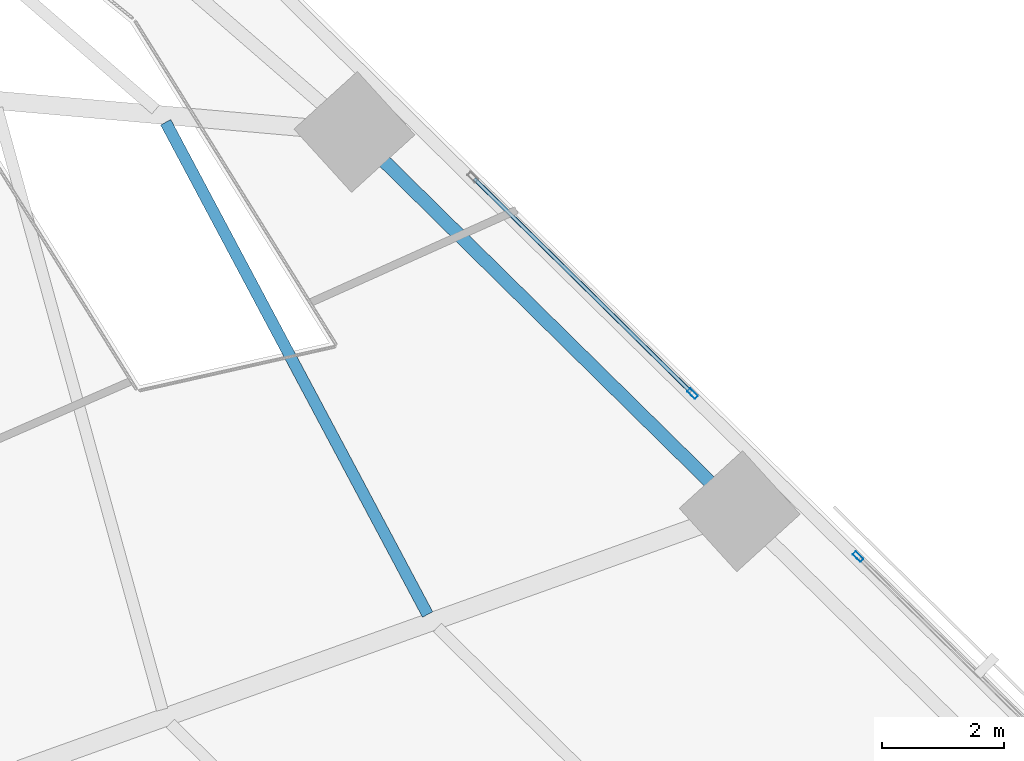
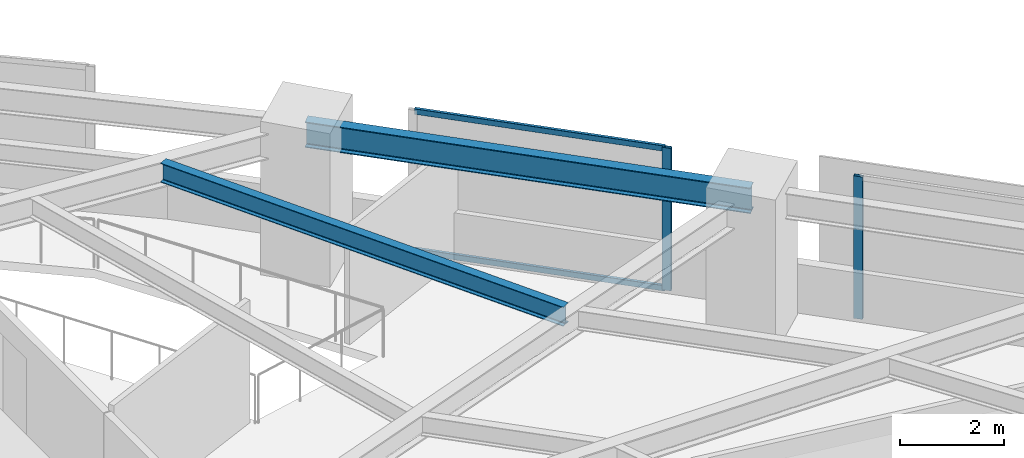
# One storey, part 6 of 17: 4 members, 2 beams, 2 elements without a shape of their own.
"""IFC4 building model written with IfcOpenShell, lengths in metres."""

from ifc_helpers import new_model, si_unit, direction, frame, origin, origin_2d, place, context, subcontext, project, spatial, hollow_rectangle, i_section, extrude, material, material_profile, profile_set, type_object, element, aggregate, save


model = new_model("IFC4")

# Units and contexts
model_context = context("Model", 3, precision=1e-05, world=origin(), true_north=direction((0.0, 1.0)))
body_context = subcontext(model_context, "Body", "Model", "MODEL_VIEW")
ifc_project = project(units=[si_unit("LENGTHUNIT", "METRE"), si_unit("AREAUNIT", "SQUARE_METRE"), si_unit("VOLUMEUNIT", "CUBIC_METRE"), si_unit("PLANEANGLEUNIT", "RADIAN"), si_unit("MASSUNIT", "GRAM", prefix="KILO")], contexts=[model_context])

# Site, building, storey
site_placement = place(None, origin())
site = spatial("IfcSite", under=ifc_project, at=site_placement, CompositionType="ELEMENT")
building_placement = place(site_placement, origin())
building = spatial("IfcBuilding", under=site, at=building_placement, Name="Narakoshi Arena Tower", CompositionType="ELEMENT")
storey_placement = place(building_placement, frame((0.0, 0.0, 33.89990234375)))
storey = spatial("IfcBuildingStorey", under=building, at=storey_placement, Name="L08", CompositionType="ELEMENT", Elevation=33.89990234375)

# Beams
ifc_material_1 = material(Name="Structural steel S355J2", Category="steel")
ifc_material_profile_1 = material_profile(ifc_material_1, i_section(OverallWidth=0.219970703125, OverallDepth=0.60009765625, WebThickness=0.011962890625, FlangeThickness=0.01904296875, FilletRadius=0.02392578125, at=origin_2d()), Name="IPE600")
ifc_profile_set_1 = profile_set([ifc_material_profile_1], Name="Structural steel S355J2")
beam_type_1 = type_object("IfcBeamType", Name="BM-EDGE-600", PredefinedType="BEAM", material=ifc_profile_set_1)
beam_1_placement = place(storey_placement, frame((102.345458984375, 49.373779296875, 3.0400390625), z_axis=(-0.712540689328, 0.70163079041, 0.0), x_axis=(-0.70163079041, -0.712540689328, 0.0)))
element("IfcBeam", 1, at=beam_1_placement, inside=storey, type_object=beam_type_1, Name="L08 Perimeter Edge Girder 07", PredefinedType="BEAM", context=body_context, shape_type="SweptSolid", body=[
    extrude(i_section(OverallWidth=0.219970703125, OverallDepth=0.60009765625, WebThickness=0.011962890625, FlangeThickness=0.01904296875, FilletRadius=0.02392578125, at=origin_2d()), origin(), (0.0, 0.0, 1.0), 8.83935546875),
])
ifc_material_profile_2 = material_profile(ifc_material_1, i_section(OverallWidth=0.18994140625, OverallDepth=0.449951171875, WebThickness=0.009521484375, FlangeThickness=0.0146484375, FilletRadius=0.02099609375, at=origin_2d()), Name="IPE450")
ifc_profile_set_2 = profile_set([ifc_material_profile_2], Name="Structural steel S355J2")
beam_type_2 = type_object("IfcBeamType", Name="BM-SEC-450", PredefinedType="JOIST", material=ifc_profile_set_2)
beam_2_placement = place(storey_placement, frame((97.243408203125, 47.685791015625, 3.114990234375), z_axis=(-0.469726223078, 0.882812140465, 0.0), x_axis=(-0.882812140465, -0.469726223078, 0.0)))
element("IfcBeam", 2, at=beam_2_placement, inside=storey, type_object=beam_type_2, Name="L08 Composite Secondary Floor Joist 08", PredefinedType="JOIST", context=body_context, shape_type="SweptSolid", body=[
    extrude(i_section(OverallWidth=0.18994140625, OverallDepth=0.449951171875, WebThickness=0.009521484375, FlangeThickness=0.0146484375, FilletRadius=0.02099609375, at=origin_2d()), origin(), (0.0, 0.0, 1.0), 9.116455078125),
])

# Curtain wall, member
ifc_material_2 = material(Name="Anodised bronze aluminium 6063-T6", Category="aluminium")
curtain_wall_type = type_object("IfcCurtainWallType", Name="CW-HYP-LOW", PredefinedType="NOTDEFINED", material=ifc_material_2)
curtain_wall_1_placement = place(storey_placement, origin())
curtain_wall_1 = element("IfcCurtainWall", 3, at=curtain_wall_1_placement, inside=storey, type_object=curtain_wall_type, Name="L08 Folded Hypotenuse Curtain Wall 1-3", PredefinedType="NOTDEFINED")
ifc_material_profile_3 = material_profile(ifc_material_2, hollow_rectangle(XDim=0.074951171875, YDim=0.179931640625, WallThickness=0.00390625, OuterFilletRadius=0.0048828125, at=origin_2d()), Name="MUL180x75x4")
ifc_profile_set_3 = profile_set([ifc_material_profile_3], Name="Anodised bronze aluminium 6063-T6")
member_type_1 = type_object("IfcMemberType", Name="MEM-MUL-180", PredefinedType="MULLION", material=ifc_profile_set_3)
member_1_placement = place(storey_placement, frame((104.280517578125, 48.63330078125, 0.0), z_axis=(0.0, 0.0, 1.0), x_axis=(-0.701632802488, -0.712538708053, 0.0)))
member_1 = element("IfcMember", 4, at=member_1_placement, type_object=member_type_1, Name="CW-01 mullion 2", PredefinedType="MULLION", context=body_context, shape_type="SweptSolid", body=[
    extrude(hollow_rectangle(XDim=0.074951171875, YDim=0.179931640625, WallThickness=0.00390625, OuterFilletRadius=0.0048828125, at=origin_2d()), origin(), (0.0, 0.0, 1.0), 3.340087890625),
])
aggregate(curtain_wall_1, [member_1])

# Curtain wall, members
curtain_wall_2_placement = place(storey_placement, origin())
curtain_wall_2 = element("IfcCurtainWall", 5, at=curtain_wall_2_placement, inside=storey, type_object=curtain_wall_type, Name="L08 Folded Hypotenuse Curtain Wall 1-4", PredefinedType="NOTDEFINED")
member_2_placement = place(storey_placement, frame((101.574462890625, 51.2978515625, 0.0), z_axis=(0.0, 0.0, 1.0), x_axis=(-0.701632802488, -0.712538708053, 0.0)))
member_2 = element("IfcMember", 6, at=member_2_placement, type_object=member_type_1, Name="CW-01 mullion 1", PredefinedType="MULLION", context=body_context, shape_type="SweptSolid", body=[
    extrude(hollow_rectangle(XDim=0.074951171875, YDim=0.179931640625, WallThickness=0.00390625, OuterFilletRadius=0.0048828125, at=origin_2d()), origin(), (0.0, 0.0, 1.0), 3.340087890625),
])
ifc_material_profile_4 = material_profile(ifc_material_2, hollow_rectangle(XDim=0.06494140625, YDim=0.1298828125, WallThickness=0.00390625, OuterFilletRadius=0.0048828125, at=origin_2d()), Name="TRN130x65x4")
ifc_profile_set_4 = profile_set([ifc_material_profile_4], Name="Anodised bronze aluminium 6063-T6")
member_type_2 = type_object("IfcMemberType", Name="MEM-TRN-130", PredefinedType="USERDEFINED", material=ifc_profile_set_4)
member_3_placement = place(storey_placement, frame((101.547607421875, 51.32421875, 0.03271484375), z_axis=(-0.712542243067, 0.701629212508, 0.0), x_axis=(-0.701629212508, -0.712542243067, 0.0)))
member_3 = element("IfcMember", 7, at=member_3_placement, type_object=member_type_2, Name="CW-01 transom 1.1", ObjectType="TRANSOM", PredefinedType="USERDEFINED", context=body_context, shape_type="SweptSolid", body=[
    extrude(hollow_rectangle(XDim=0.06494140625, YDim=0.1298828125, WallThickness=0.00390625, OuterFilletRadius=0.0048828125, at=origin_2d()), origin(), (0.0, 0.0, 1.0), 4.966552734375),
])
member_4_placement = place(storey_placement, frame((101.547607421875, 51.32421875, 3.3076171875), z_axis=(-0.712542243067, 0.701629212508, 0.0), x_axis=(-0.701629212508, -0.712542243067, 0.0)))
member_4 = element("IfcMember", 8, at=member_4_placement, type_object=member_type_2, Name="CW-01 transom 1.2", ObjectType="TRANSOM", PredefinedType="USERDEFINED", context=body_context, shape_type="SweptSolid", body=[
    extrude(hollow_rectangle(XDim=0.06494140625, YDim=0.1298828125, WallThickness=0.00390625, OuterFilletRadius=0.0048828125, at=origin_2d()), origin(), (0.0, 0.0, 1.0), 4.966552734375),
])
aggregate(curtain_wall_2, [member_2, member_3, member_4])

save(model, "model.ifc")
